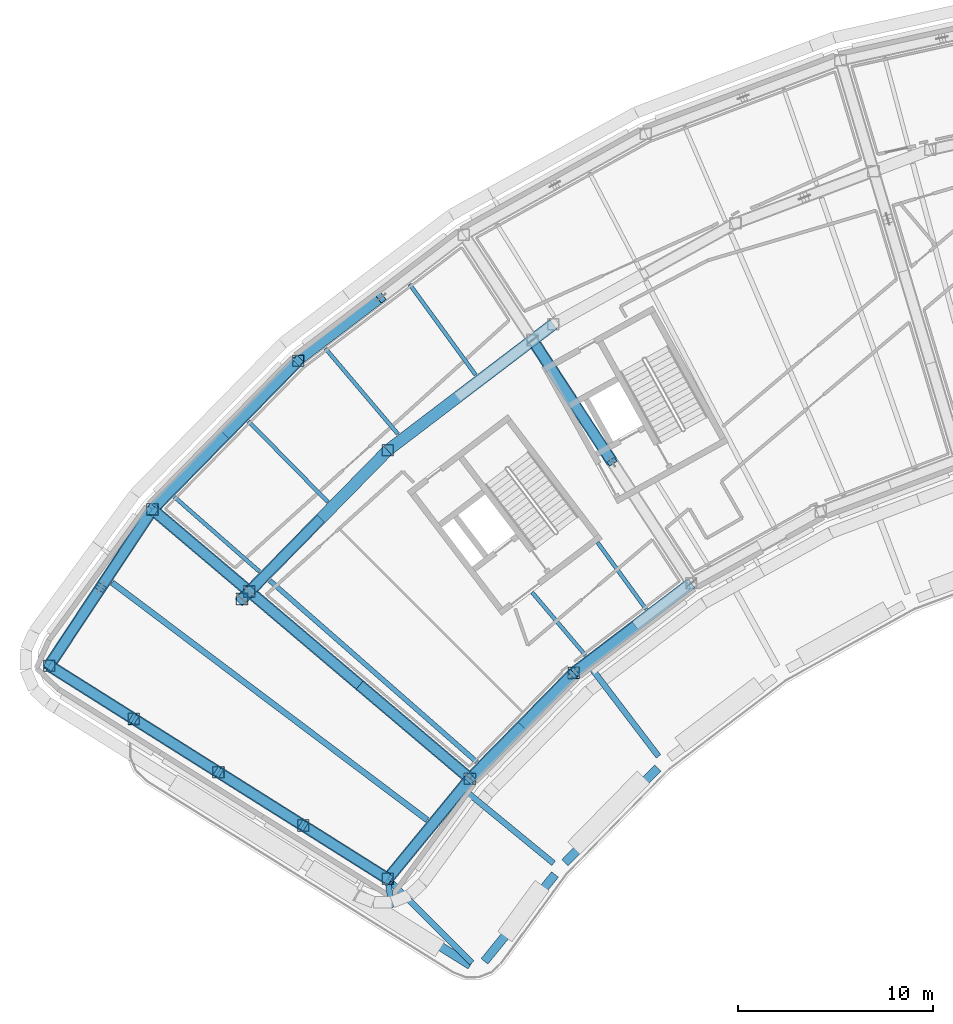
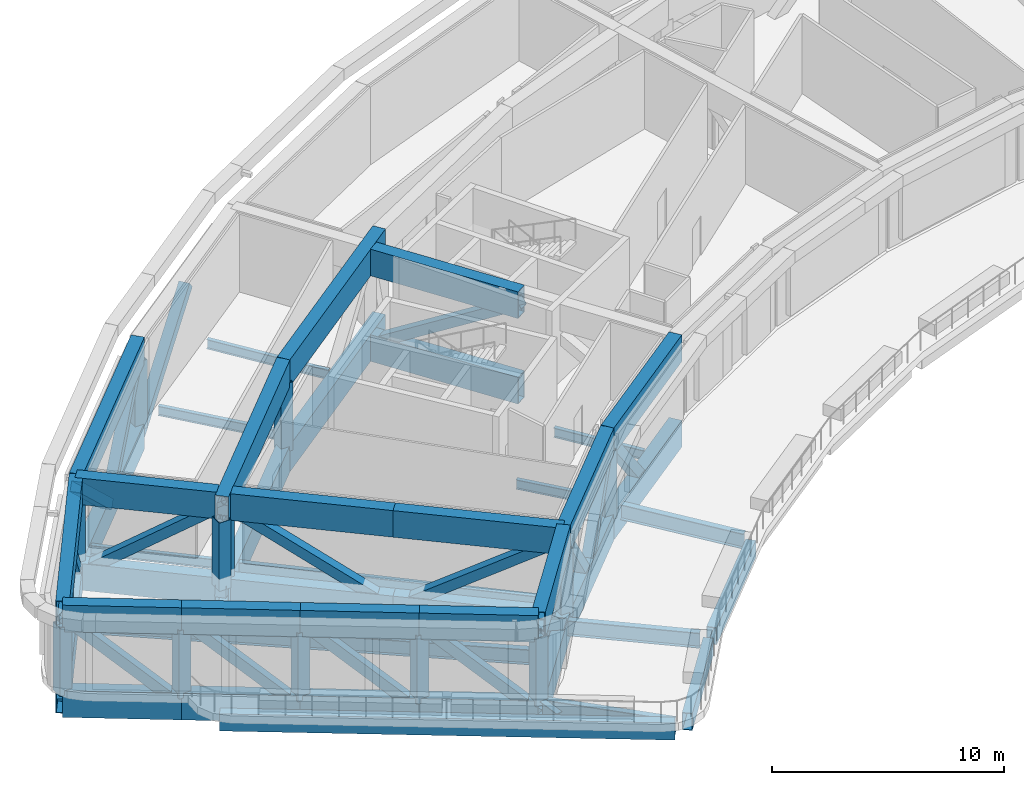
# One storey, part 1 of 24: 45 beams, 31 members.
"""IFC4 building model written with IfcOpenShell, lengths in metres."""

from ifc_helpers import new_model, si_unit, direction, frame, origin, origin_2d, place, context, subcontext, project, spatial, hollow_rectangle, i_section, extrude, material, material_profile, profile_set, type_object, element, save


model = new_model("IFC4")

# Units and contexts
model_context = context("Model", 3, precision=1e-05, world=origin(), true_north=direction((0.0, 1.0)))
body_context = subcontext(model_context, "Body", "Model", "MODEL_VIEW")
ifc_project = project(units=[si_unit("LENGTHUNIT", "METRE"), si_unit("AREAUNIT", "SQUARE_METRE"), si_unit("VOLUMEUNIT", "CUBIC_METRE"), si_unit("PLANEANGLEUNIT", "RADIAN"), si_unit("MASSUNIT", "GRAM", prefix="KILO")], contexts=[model_context])

# Site, building, storey
site_placement = place(None, origin())
site = spatial("IfcSite", under=ifc_project, at=site_placement, CompositionType="ELEMENT")
building_placement = place(site_placement, origin())
building = spatial("IfcBuilding", under=site, at=building_placement, Name="Tuul Gate Civic Tower", CompositionType="ELEMENT")
storey_placement = place(building_placement, frame((0.0, 0.0, 315.199951171875)))
storey = spatial("IfcBuildingStorey", under=building, at=storey_placement, Name="Plant and refuge floor 7", CompositionType="ELEMENT", Elevation=315.199951171875)

# Beams
ifc_material_1 = material(Name="Steel S355", Category="steel")
ifc_material_profile_1 = material_profile(ifc_material_1, i_section(OverallWidth=0.199951171875, OverallDepth=0.5, WebThickness=0.010009765625, FlangeThickness=0.01611328125, at=origin_2d()), Name="PG500x200x10x16")
ifc_profile_set_1 = profile_set([ifc_material_profile_1], Name="Steel S355")
beam_type_1 = type_object("IfcBeamType", Name="STR-FLOOR BEAM-PG500x200x10x16", PredefinedType="BEAM", material=ifc_profile_set_1)
beam_1_placement = place(storey_placement, frame((-28.857421875, -17.404541015625, -0.64990234375), z_axis=(-0.588411540977, 0.808561598424, 0.0), x_axis=(-0.808561598424, -0.588411540977, 0.0)))
element("IfcBeam", 1, at=beam_1_placement, inside=storey, type_object=beam_type_1, Name="Floor beam", PredefinedType="BEAM", context=body_context, shape_type="SweptSolid", body=[
    extrude(i_section(OverallWidth=0.199951171875, OverallDepth=0.5, WebThickness=0.010009765625, FlangeThickness=0.01611328125, at=origin_2d()), origin(), (0.0, 0.0, 1.0), 4.236328125),
])
beam_2_placement = place(storey_placement, frame((-37.602294921875, -5.3876953125, -0.64990234375), z_axis=(-0.588414354196, 0.808559551163, 0.0), x_axis=(-0.808559551163, -0.588414354196, 0.0)))
element("IfcBeam", 2, at=beam_2_placement, inside=storey, type_object=beam_type_1, Name="Floor beam", PredefinedType="BEAM", context=body_context, shape_type="SweptSolid", body=[
    extrude(i_section(OverallWidth=0.199951171875, OverallDepth=0.5, WebThickness=0.010009765625, FlangeThickness=0.01611328125, at=origin_2d()), origin(), (0.0, 0.0, 1.0), 5.742431640625),
])
beam_3_placement = place(storey_placement, frame((-31.966064453125, -19.771484375, -0.64990234375), z_axis=(-0.646600059481, 0.762829183421, 0.0), x_axis=(-0.762829183421, -0.646600059481, 0.0)))
element("IfcBeam", 3, at=beam_3_placement, inside=storey, type_object=beam_type_1, Name="Floor beam", PredefinedType="BEAM", context=body_context, shape_type="SweptSolid", body=[
    extrude(i_section(OverallWidth=0.199951171875, OverallDepth=0.5, WebThickness=0.010009765625, FlangeThickness=0.01611328125, at=origin_2d()), origin(), (0.0, 0.0, 1.0), 4.240966796875),
])
beam_4_placement = place(storey_placement, frame((-41.586669921875, -8.42138671875, -0.64990234375), z_axis=(-0.646577826617, 0.762848028199, 0.0), x_axis=(-0.762848028199, -0.646577826617, 0.0)))
element("IfcBeam", 4, at=beam_4_placement, inside=storey, type_object=beam_type_1, Name="Floor beam", PredefinedType="BEAM", context=body_context, shape_type="SweptSolid", body=[
    extrude(i_section(OverallWidth=0.199951171875, OverallDepth=0.5, WebThickness=0.010009765625, FlangeThickness=0.01611328125, at=origin_2d()), origin(), (0.0, 0.0, 1.0), 5.749267578125),
])
beam_5_placement = place(storey_placement, frame((-45.187744140625, -11.899658203125, -0.64990234375), z_axis=(-0.701211272106, 0.712953541173, 0.0), x_axis=(-0.712953541173, -0.701211272106, 0.0)))
element("IfcBeam", 5, at=beam_5_placement, inside=storey, type_object=beam_type_1, Name="Floor beam", PredefinedType="BEAM", context=body_context, shape_type="SweptSolid", body=[
    extrude(i_section(OverallWidth=0.199951171875, OverallDepth=0.5, WebThickness=0.010009765625, FlangeThickness=0.01611328125, at=origin_2d()), origin(), (0.0, 0.0, 1.0), 5.80078125),
])
beam_6_placement = place(storey_placement, frame((-48.690673828125, -15.472900390625, -0.64990234375), z_axis=(-0.75202444372, 0.659135218333, 0.0), x_axis=(-0.659135218333, -0.75202444372, 0.0)))
element("IfcBeam", 6, at=beam_6_placement, inside=storey, type_object=beam_type_1, Name="Floor beam", PredefinedType="BEAM", context=body_context, shape_type="SweptSolid", body=[
    extrude(i_section(OverallWidth=0.199951171875, OverallDepth=0.5, WebThickness=0.010009765625, FlangeThickness=0.01611328125, at=origin_2d()), origin(), (0.0, 0.0, 1.0), 5.80859375),
])
ifc_material_2 = material(Name="Steel S355", Category="steel")
ifc_material_profile_2 = material_profile(ifc_material_2, i_section(OverallWidth=0.25, OverallDepth=0.64990234375, WebThickness=0.011962890625, FlangeThickness=0.02001953125, at=origin_2d()), Name="PG650x250x12x20")
ifc_profile_set_2 = profile_set([ifc_material_profile_2], Name="Steel S355")
beam_type_2 = type_object("IfcBeamType", Name="STR-FLOOR BEAM-PG650x250x12x20", PredefinedType="BEAM", material=ifc_profile_set_2)
beam_7_placement = place(storey_placement, frame((-37.54296875, -25.243896484375, -0.724853515625), z_axis=(-0.752021711918, 0.659138335104, 0.0), x_axis=(-0.659138335104, -0.752021711918, 0.0)))
element("IfcBeam", 7, at=beam_7_placement, inside=storey, type_object=beam_type_2, Name="Floor beam", PredefinedType="BEAM", context=body_context, shape_type="SweptSolid", body=[
    extrude(i_section(OverallWidth=0.25, OverallDepth=0.64990234375, WebThickness=0.011962890625, FlangeThickness=0.02001953125, at=origin_2d()), origin(), (0.0, 0.0, 1.0), 14.122802734375),
])
ifc_material_3 = material(Name="Steel S355", Category="steel")
ifc_material_profile_3 = material_profile(ifc_material_3, i_section(OverallWidth=0.300048828125, OverallDepth=0.800048828125, WebThickness=0.013916015625, FlangeThickness=0.02490234375, at=origin_2d()), Name="PG800x300x14x25")
ifc_profile_set_3 = profile_set([ifc_material_profile_3], Name="Steel S355")
beam_type_3 = type_object("IfcBeamType", Name="STR-FLOOR BEAM-PG800x300x14x25", PredefinedType="BEAM", material=ifc_profile_set_3)
beam_8_placement = place(storey_placement, frame((-40.08447265625, -28.220458984375, -0.800048828125), z_axis=(-0.79870805532, 0.601718740249, 0.0), x_axis=(-0.601718740249, -0.79870805532, 0.0)))
element("IfcBeam", 8, at=beam_8_placement, inside=storey, type_object=beam_type_3, Name="Floor beam", PredefinedType="BEAM", context=body_context, shape_type="SweptSolid", body=[
    extrude(i_section(OverallWidth=0.300048828125, OverallDepth=0.800048828125, WebThickness=0.013916015625, FlangeThickness=0.02490234375, at=origin_2d()), origin(), (0.0, 0.0, 1.0), 20.23388671875),
])
beam_9_placement = place(storey_placement, frame((-41.9091796875, -32.70361328125, -0.800048828125), z_axis=(-0.135094712172, 0.990832689581, 0.0), x_axis=(-0.990832689581, -0.135094712172, 0.0)))
element("IfcBeam", 9, at=beam_9_placement, inside=storey, type_object=beam_type_3, Name="Terrace beam", PredefinedType="BEAM", context=body_context, shape_type="SweptSolid", body=[
    extrude(i_section(OverallWidth=0.300048828125, OverallDepth=0.800048828125, WebThickness=0.013916015625, FlangeThickness=0.02490234375, at=origin_2d()), origin(), (0.0, 0.0, 1.0), 1.17822265625),
])
beam_10_placement = place(storey_placement, frame((-37.7958984375, -35.55224609375, -0.800048828125), z_axis=(-0.707106781187, 0.707106781187, 0.0), x_axis=(-0.707106781187, -0.707106781187, 0.0)))
element("IfcBeam", 10, at=beam_10_placement, inside=storey, type_object=beam_type_3, Name="Terrace beam", PredefinedType="BEAM", context=body_context, shape_type="SweptSolid", body=[
    extrude(i_section(OverallWidth=0.300048828125, OverallDepth=0.800048828125, WebThickness=0.013916015625, FlangeThickness=0.02490234375, at=origin_2d()), origin(), (0.0, 0.0, 1.0), 5.7998046875),
])
beam_11_placement = place(storey_placement, frame((-33.602294921875, -30.439208984375, -0.800048828125), z_axis=(-0.77300790948, 0.634396383881, 0.0), x_axis=(-0.634396383881, -0.77300790948, 0.0)))
element("IfcBeam", 11, at=beam_11_placement, inside=storey, type_object=beam_type_3, Name="Terrace beam", PredefinedType="BEAM", context=body_context, shape_type="SweptSolid", body=[
    extrude(i_section(OverallWidth=0.300048828125, OverallDepth=0.800048828125, WebThickness=0.013916015625, FlangeThickness=0.02490234375, at=origin_2d()), origin(), (0.0, 0.0, 1.0), 5.768310546875),
])
beam_12_placement = place(storey_placement, frame((-28.221435546875, -24.95263671875, -0.800048828125), z_axis=(-0.605808706308, 0.795610338898, 0.0), x_axis=(-0.795610338898, -0.605808706308, 0.0)))
element("IfcBeam", 12, at=beam_12_placement, inside=storey, type_object=beam_type_3, Name="Terrace beam", PredefinedType="BEAM", context=body_context, shape_type="SweptSolid", body=[
    extrude(i_section(OverallWidth=0.300048828125, OverallDepth=0.800048828125, WebThickness=0.013916015625, FlangeThickness=0.02490234375, at=origin_2d()), origin(), (0.0, 0.0, 1.0), 5.74072265625),
])
ifc_material_4 = material(Name="Steel S355", Category="steel")
ifc_material_profile_4 = material_profile(ifc_material_4, hollow_rectangle(XDim=0.449951171875, YDim=0.89990234375, WallThickness=0.02490234375, at=origin_2d()), Name="BOX900x450x25")
ifc_profile_set_4 = profile_set([ifc_material_profile_4], Name="Steel S355")
beam_type_4 = type_object("IfcBeamType", Name="STR-SPANDREL BEAM-BOX900x450x25", PredefinedType="BEAM", material=ifc_profile_set_4)
beam_13_placement = place(storey_placement, frame((-54.518310546875, -25.26171875, -0.849853515625), z_axis=(0.847979443613, -0.530029115435, 0.0), x_axis=(0.530029115435, 0.847979443613, 0.0)))
element("IfcBeam", 13, at=beam_13_placement, inside=storey, type_object=beam_type_4, Name="Terrace edge beam", PredefinedType="BEAM", context=body_context, shape_type="SweptSolid", body=[
    extrude(hollow_rectangle(XDim=0.449951171875, YDim=0.89990234375, WallThickness=0.02490234375, at=origin_2d()), origin(), (0.0, 0.0, 1.0), 19.6357421875),
])
beam_14_placement = place(storey_placement, frame((-37.1484375, -35.470458984375, -0.849853515625), z_axis=(0.630616645901, 0.776094482594, 0.0), x_axis=(-0.776094482594, 0.630616645901, 0.0)))
element("IfcBeam", 14, at=beam_14_placement, inside=storey, type_object=beam_type_4, Name="Terrace edge beam", PredefinedType="BEAM", context=body_context, shape_type="SweptSolid", body=[
    extrude(hollow_rectangle(XDim=0.449951171875, YDim=0.89990234375, WallThickness=0.02490234375, at=origin_2d()), origin(), (0.0, 0.0, 1.0), 5.739501953125),
])
beam_15_placement = place(storey_placement, frame((-33.012939453125, -30.4072265625, -0.849853515625), z_axis=(0.69995351943, 0.71418839996, 0.0), x_axis=(-0.71418839996, 0.69995351943, 0.0)))
element("IfcBeam", 15, at=beam_15_placement, inside=storey, type_object=beam_type_4, Name="Terrace edge beam", PredefinedType="BEAM", context=body_context, shape_type="SweptSolid", body=[
    extrude(hollow_rectangle(XDim=0.449951171875, YDim=0.89990234375, WallThickness=0.02490234375, at=origin_2d()), origin(), (0.0, 0.0, 1.0), 6.791748046875),
])
ifc_material_5 = material(Name="Steel S460", Category="steel")
ifc_material_profile_5 = material_profile(ifc_material_5, hollow_rectangle(XDim=0.60009765625, YDim=1.39990234375, WallThickness=0.031982421875, at=origin_2d()), Name="BOX1400x600x32")
ifc_profile_set_5 = profile_set([ifc_material_profile_5], Name="Steel S460")
beam_type_5 = type_object("IfcBeamType", Name="STR-TRANSFER TRUSS CHORD-BOX1400x600x32", PredefinedType="BEAM", material=ifc_profile_set_5)
beam_16_placement = place(storey_placement, frame((-54.179931640625, -12.2880859375, -1.099853515625), z_axis=(0.762827297344, -0.646602284582, 0.0), x_axis=(0.646602284582, 0.762827297344, 0.0)))
element("IfcBeam", 16, at=beam_16_placement, inside=storey, type_object=beam_type_5, Name="Radial truss bottom chord", PredefinedType="BEAM", context=body_context, shape_type="SweptSolid", body=[
    extrude(hollow_rectangle(XDim=0.60009765625, YDim=1.39990234375, WallThickness=0.031982421875, at=origin_2d()), origin(), (0.0, 0.0, 1.0), 6.215576171875),
])
beam_17_placement = place(storey_placement, frame((-48.979736328125, -16.696044921875, -1.099853515625), z_axis=(0.762825357686, -0.646604572881, 0.0), x_axis=(0.646604572881, 0.762825357686, 0.0)))
element("IfcBeam", 17, at=beam_17_placement, inside=storey, type_object=beam_type_5, Name="Radial truss bottom chord", PredefinedType="BEAM", context=body_context, shape_type="SweptSolid", body=[
    extrude(hollow_rectangle(XDim=0.60009765625, YDim=1.39990234375, WallThickness=0.031982421875, at=origin_2d()), origin(), (0.0, 0.0, 1.0), 7.119140625),
])
beam_18_placement = place(storey_placement, frame((-43.549072265625, -21.29931640625, -1.099853515625), z_axis=(0.762838108327, -0.646589530138, 0.0), x_axis=(0.646589530138, 0.762838108327, 0.0)))
element("IfcBeam", 18, at=beam_18_placement, inside=storey, type_object=beam_type_5, Name="Radial truss bottom chord", PredefinedType="BEAM", context=body_context, shape_type="SweptSolid", body=[
    extrude(hollow_rectangle(XDim=0.60009765625, YDim=1.39990234375, WallThickness=0.031982421875, at=origin_2d()), origin(), (0.0, 0.0, 1.0), 7.419921875),
])
beam_19_placement = place(storey_placement, frame((-54.179931640625, -12.2880859375, 3.400146484375), z_axis=(0.762827297344, -0.646602284582, 0.0), x_axis=(0.646602284582, 0.762827297344, 0.0)))
element("IfcBeam", 19, at=beam_19_placement, inside=storey, type_object=beam_type_5, Name="Radial truss top chord", PredefinedType="BEAM", context=body_context, shape_type="SweptSolid", body=[
    extrude(hollow_rectangle(XDim=0.60009765625, YDim=1.39990234375, WallThickness=0.031982421875, at=origin_2d()), origin(), (0.0, 0.0, 1.0), 6.215576171875),
])
beam_20_placement = place(storey_placement, frame((-48.979736328125, -16.696044921875, 3.400146484375), z_axis=(0.762825357686, -0.646604572881, 0.0), x_axis=(0.646604572881, 0.762825357686, 0.0)))
element("IfcBeam", 20, at=beam_20_placement, inside=storey, type_object=beam_type_5, Name="Radial truss top chord", PredefinedType="BEAM", context=body_context, shape_type="SweptSolid", body=[
    extrude(hollow_rectangle(XDim=0.60009765625, YDim=1.39990234375, WallThickness=0.031982421875, at=origin_2d()), origin(), (0.0, 0.0, 1.0), 7.119140625),
])
beam_21_placement = place(storey_placement, frame((-43.549072265625, -21.29931640625, 3.400146484375), z_axis=(0.762838108327, -0.646589530138, 0.0), x_axis=(0.646589530138, 0.762838108327, 0.0)))
element("IfcBeam", 21, at=beam_21_placement, inside=storey, type_object=beam_type_5, Name="Radial truss top chord", PredefinedType="BEAM", context=body_context, shape_type="SweptSolid", body=[
    extrude(hollow_rectangle(XDim=0.60009765625, YDim=1.39990234375, WallThickness=0.031982421875, at=origin_2d()), origin(), (0.0, 0.0, 1.0), 7.419921875),
])
for number, where, z_axis, x_axis, name in (
    (22, (-34.51513671875, -3.85400390625, -1.099853515625), (0.54672195504, -0.837314220516, 0.0), (0.837314220516, 0.54672195504, 0.0), "Radial truss bottom chord"),
    (23, (-34.51513671875, -3.85400390625, 3.400146484375), (0.54672195504, -0.837314220516, 0.0), (0.837314220516, 0.54672195504, 0.0), "Radial truss top chord"),
):
    element("IfcBeam", number, at=place(storey_placement, frame(where, z_axis=z_axis, x_axis=x_axis)), inside=storey, type_object=beam_type_5, Name=name, PredefinedType="BEAM", context=body_context, shape_type="SweptSolid", body=[
        extrude(hollow_rectangle(XDim=0.60009765625, YDim=1.39990234375, WallThickness=0.031982421875, at=origin_2d()), origin(), (0.0, 0.0, 1.0), 7.14794921875),
    ])
for number, where, z_axis, x_axis, name in (
    (24, (-42.10888671875, -9.259033203125, -1.099853515625), (-0.700052665808, -0.714091216229, 0.0), (0.714091216229, -0.700052665808, 0.0), "Belt truss bottom chord"),
    (25, (-42.10888671875, -9.259033203125, 3.400146484375), (-0.700052665808, -0.714091216229, 0.0), (0.714091216229, -0.700052665808, 0.0), "Belt truss top chord"),
):
    element("IfcBeam", number, at=place(storey_placement, frame(where, z_axis=z_axis, x_axis=x_axis)), inside=storey, type_object=beam_type_5, Name=name, PredefinedType="BEAM", context=body_context, shape_type="SweptSolid", body=[
        extrude(hollow_rectangle(XDim=0.60009765625, YDim=1.39990234375, WallThickness=0.031982421875, at=origin_2d()), origin(), (0.0, 0.0, 1.0), 10.677978515625),
    ])
for number, where, z_axis, x_axis, name in (
    (26, (-46.7060546875, -4.6630859375, -1.099853515625), (-0.699994363812, -0.71414836738, 0.0), (0.71414836738, -0.699994363812, 0.0), "Belt truss bottom chord"),
    (27, (-46.7060546875, -4.6630859375, 3.400146484375), (-0.699994363812, -0.71414836738, 0.0), (0.71414836738, -0.699994363812, 0.0), "Belt truss top chord"),
    (28, (-33.614013671875, -2.791015625, -1.099853515625), (-0.795624318965, -0.605790345806, 0.0), (0.605790345806, -0.795624318965, 0.0), "Belt truss bottom chord"),
    (29, (-33.614013671875, -2.791015625, 3.400146484375), (-0.795624318965, -0.605790345806, 0.0), (0.605790345806, -0.795624318965, 0.0), "Belt truss top chord"),
):
    element("IfcBeam", number, at=place(storey_placement, frame(where, z_axis=z_axis, x_axis=x_axis)), inside=storey, type_object=beam_type_5, Name=name, PredefinedType="BEAM", context=body_context, shape_type="SweptSolid", body=[
        extrude(hollow_rectangle(XDim=0.60009765625, YDim=1.39990234375, WallThickness=0.031982421875, at=origin_2d()), origin(), (0.0, 0.0, 1.0), 10.677001953125),
    ])
for number, where, z_axis, x_axis, name in (
    (30, (-54.179931640625, -12.2880859375, -1.099853515625), (-0.551652439402, -0.834074089097, 0.0), (0.834074089097, -0.551652439402, 0.0), "Belt truss bottom chord"),
    (31, (-54.179931640625, -12.2880859375, 3.400146484375), (-0.551652439402, -0.834074089097, 0.0), (0.834074089097, -0.551652439402, 0.0), "Belt truss top chord"),
):
    element("IfcBeam", number, at=place(storey_placement, frame(where, z_axis=z_axis, x_axis=x_axis)), inside=storey, type_object=beam_type_5, Name=name, PredefinedType="BEAM", context=body_context, shape_type="SweptSolid", body=[
        extrude(hollow_rectangle(XDim=0.60009765625, YDim=1.39990234375, WallThickness=0.031982421875, at=origin_2d()), origin(), (0.0, 0.0, 1.0), 9.605712890625),
    ])
for number, where, z_axis, x_axis, name in (
    (32, (-37.888916015625, -26.096923828125, -1.099853515625), (0.699964014353, 0.714178114066, 0.0), (-0.714178114066, 0.699964014353, 0.0), "Belt truss bottom chord"),
    (33, (-37.888916015625, -26.096923828125, 3.400146484375), (0.699964014353, 0.714178114066, 0.0), (-0.714178114066, 0.699964014353, 0.0), "Belt truss top chord"),
    (34, (-32.574951171875, -20.675048828125, -1.099853515625), (0.795610335584, 0.60580871066, 0.0), (-0.60580871066, 0.795610335584, 0.0), "Belt truss bottom chord"),
    (35, (-32.574951171875, -20.675048828125, 3.400146484375), (0.795610335584, 0.60580871066, 0.0), (-0.60580871066, 0.795610335584, 0.0), "Belt truss top chord"),
):
    element("IfcBeam", number, at=place(storey_placement, frame(where, z_axis=z_axis, x_axis=x_axis)), inside=storey, type_object=beam_type_5, Name=name, PredefinedType="BEAM", context=body_context, shape_type="SweptSolid", body=[
        extrude(hollow_rectangle(XDim=0.60009765625, YDim=1.39990234375, WallThickness=0.031982421875, at=origin_2d()), origin(), (0.0, 0.0, 1.0), 7.591796875),
    ])
for number, where, z_axis, x_axis, name in (
    (36, (-42.10888671875, -31.239013671875, -1.099853515625), (0.634390286361, 0.773012913586, 0.0), (-0.773012913586, 0.634390286361, 0.0), "Belt truss bottom chord"),
    (37, (-42.10888671875, -31.239013671875, 3.400146484375), (0.634390286361, 0.773012913586, 0.0), (-0.773012913586, 0.634390286361, 0.0), "Belt truss top chord"),
):
    element("IfcBeam", number, at=place(storey_placement, frame(where, z_axis=z_axis, x_axis=x_axis)), inside=storey, type_object=beam_type_5, Name=name, PredefinedType="BEAM", context=body_context, shape_type="SweptSolid", body=[
        extrude(hollow_rectangle(XDim=0.60009765625, YDim=1.39990234375, WallThickness=0.031982421875, at=origin_2d()), origin(), (0.0, 0.0, 1.0), 6.652099609375),
    ])
for number, where, z_axis, x_axis, name in (
    (38, (-59.47900390625, -20.300048828125, -1.099853515625), (0.846200269344, -0.532864996188, 0.0), (0.532864996188, 0.846200269344, 0.0), "Belt truss bottom chord"),
    (39, (-59.47900390625, -20.300048828125, 3.400146484375), (0.846200269344, -0.532864996188, 0.0), (0.532864996188, 0.846200269344, 0.0), "Belt truss top chord"),
):
    element("IfcBeam", number, at=place(storey_placement, frame(where, z_axis=z_axis, x_axis=x_axis)), inside=storey, type_object=beam_type_5, Name=name, PredefinedType="BEAM", context=body_context, shape_type="SweptSolid", body=[
        extrude(hollow_rectangle(XDim=0.60009765625, YDim=1.39990234375, WallThickness=0.031982421875, at=origin_2d()), origin(), (0.0, 0.0, 1.0), 5.13232421875),
    ])
for number, where, z_axis, x_axis, name in (
    (40, (-50.7939453125, -25.77001953125, -1.099853515625), (0.846286064045, -0.532728728156, 0.0), (0.532728728156, 0.846286064045, 0.0), "Belt truss bottom chord"),
    (41, (-50.7939453125, -25.77001953125, 3.400146484375), (0.846286064045, -0.532728728156, 0.0), (0.532728728156, 0.846286064045, 0.0), "Belt truss top chord"),
):
    element("IfcBeam", number, at=place(storey_placement, frame(where, z_axis=z_axis, x_axis=x_axis)), inside=storey, type_object=beam_type_5, Name=name, PredefinedType="BEAM", context=body_context, shape_type="SweptSolid", body=[
        extrude(hollow_rectangle(XDim=0.60009765625, YDim=1.39990234375, WallThickness=0.031982421875, at=origin_2d()), origin(), (0.0, 0.0, 1.0), 5.1318359375),
    ])
for number, where, z_axis, x_axis, name in (
    (42, (-55.135986328125, -23.034912109375, -1.099853515625), (0.846124773729, -0.532984865903, 0.0), (0.532984865903, 0.846124773729, 0.0), "Belt truss bottom chord"),
    (43, (-55.135986328125, -23.034912109375, 3.400146484375), (0.846124773729, -0.532984865903, 0.0), (0.532984865903, 0.846124773729, 0.0), "Belt truss top chord"),
    (44, (-46.450927734375, -28.50390625, -1.099853515625), (0.846124773729, -0.532984865903, 0.0), (0.532984865903, 0.846124773729, 0.0), "Belt truss bottom chord"),
    (45, (-46.450927734375, -28.50390625, 3.400146484375), (0.846124773729, -0.532984865903, 0.0), (0.532984865903, 0.846124773729, 0.0), "Belt truss top chord"),
):
    element("IfcBeam", number, at=place(storey_placement, frame(where, z_axis=z_axis, x_axis=x_axis)), inside=storey, type_object=beam_type_5, Name=name, PredefinedType="BEAM", context=body_context, shape_type="SweptSolid", body=[
        extrude(hollow_rectangle(XDim=0.60009765625, YDim=1.39990234375, WallThickness=0.031982421875, at=origin_2d()), origin(), (0.0, 0.0, 1.0), 5.131591796875),
    ])

# Members
ifc_material_6 = material(Name="Steel S355", Category="steel")
ifc_material_profile_6 = material_profile(ifc_material_6, hollow_rectangle(XDim=0.5, YDim=0.5, WallThickness=0.02001953125, at=origin_2d()), Name="BOX500x500x20")
ifc_profile_set_6 = profile_set([ifc_material_profile_6], Name="Steel S355")
member_type_1 = type_object("IfcMemberType", Name="STR-TRANSFER TRUSS DIAGONAL-BOX500x500x20", PredefinedType="BRACE", material=ifc_profile_set_6)
member_1_placement = place(storey_placement, frame((-54.18310546875, -12.285400390625, -1.102783203125), z_axis=(0.627700139575, -0.532064083776, 0.568243209843), x_axis=(0.646602898988, 0.762826776549, 0.0)))
element("IfcMember", 46, at=member_1_placement, inside=storey, type_object=member_type_1, Name="Radial truss web", PredefinedType="BRACE", context=body_context, shape_type="SweptSolid", body=[
    extrude(hollow_rectangle(XDim=0.5, YDim=0.5, WallThickness=0.02001953125, at=origin_2d()), origin(), (0.0, 0.0, 1.0), 7.928955078125),
])
for number, where, z_axis, x_axis, name in (
    (47, (-43.5458984375, -21.302001953125, -1.1025390625), (-0.652243337983, 0.552875287871, 0.518562960612), (-0.646607931163, -0.762822511045, 0.0), "Radial truss web"),
    (48, (-43.55224609375, -21.296630859375, -1.1025390625), (0.652243337983, -0.552875287871, 0.518562960612), (0.646607931163, 0.762822511045, 0.0), "Radial truss web"),
):
    element("IfcMember", number, at=place(storey_placement, frame(where, z_axis=z_axis, x_axis=x_axis)), inside=storey, type_object=member_type_1, Name=name, PredefinedType="BRACE", context=body_context, shape_type="SweptSolid", body=[
        extrude(hollow_rectangle(XDim=0.5, YDim=0.5, WallThickness=0.02001953125, at=origin_2d()), origin(), (0.0, 0.0, 1.0), 8.687744140625),
    ])
member_2_placement = place(storey_placement, frame((-34.681884765625, -3.5986328125, -1.1025390625), z_axis=(0.467940591429, -0.716692530475, 0.517091306883), x_axis=(0.837325864577, 0.546704121542, 0.0)))
element("IfcMember", 49, at=member_2_placement, inside=storey, type_object=member_type_1, Name="Radial truss web", PredefinedType="BRACE", context=body_context, shape_type="SweptSolid", body=[
    extrude(hollow_rectangle(XDim=0.5, YDim=0.5, WallThickness=0.02001953125, at=origin_2d()), origin(), (0.0, 0.0, 1.0), 8.71240234375),
])
member_3_placement = place(storey_placement, frame((-46.708984375, -4.665283203125, -1.103271484375), z_axis=(0.608364653562, 0.463151809544, 0.644502016764), x_axis=(-0.605741863572, 0.795661231126, 0.0)))
element("IfcMember", 50, at=member_3_placement, inside=storey, type_object=member_type_1, Name="Belt truss web", PredefinedType="BRACE", context=body_context, shape_type="SweptSolid", body=[
    extrude(hollow_rectangle(XDim=0.5, YDim=0.5, WallThickness=0.02001953125, at=origin_2d()), origin(), (0.0, 0.0, 1.0), 6.992431640625),
])
member_4_placement = place(storey_placement, frame((-45.656494140625, -12.877685546875, -1.103271484375), z_axis=(-0.523613850744, -0.534113455498, 0.66374042514), x_axis=(0.71409074531, -0.70005314617, 0.0)))
element("IfcMember", 51, at=member_4_placement, inside=storey, type_object=member_type_1, Name="Belt truss web", PredefinedType="BRACE", context=body_context, shape_type="SweptSolid", body=[
    extrude(hollow_rectangle(XDim=0.5, YDim=0.5, WallThickness=0.02001953125, at=origin_2d()), origin(), (0.0, 0.0, 1.0), 6.789794921875),
])
member_5_placement = place(storey_placement, frame((-49.58447265625, -16.884521484375, -1.10498046875), z_axis=(0.082726973719, 0.084393339011, 0.992992453219), x_axis=(-0.714121880734, 0.700021385, 0.0)))
element("IfcMember", 52, at=member_5_placement, inside=storey, type_object=member_type_1, Name="Belt truss web", PredefinedType="BRACE", context=body_context, shape_type="SweptSolid", body=[
    extrude(hollow_rectangle(XDim=0.5, YDim=0.5, WallThickness=0.02001953125, at=origin_2d()), origin(), (0.0, 0.0, 1.0), 4.541748046875),
])
for number, where, z_axis, x_axis, name in (
    (53, (-50.445556640625, -8.478271484375, -1.103271484375), (0.535191946696, 0.546050812525, 0.644513840296), (-0.714172203399, 0.699970044996, 0.0), "Belt truss web"),
    (54, (-50.4404296875, -8.47265625, -1.103271484375), (-0.535191946696, -0.546050812525, 0.644513840296), (0.714172203399, -0.699970044996, 0.0), "Belt truss web"),
):
    element("IfcMember", number, at=place(storey_placement, frame(where, z_axis=z_axis, x_axis=x_axis)), inside=storey, type_object=member_type_1, Name=name, PredefinedType="BRACE", context=body_context, shape_type="SweptSolid", body=[
        extrude(hollow_rectangle(XDim=0.5, YDim=0.5, WallThickness=0.02001953125, at=origin_2d()), origin(), (0.0, 0.0, 1.0), 6.9921875),
    ])
member_6_placement = place(storey_placement, frame((-54.177978515625, -12.284912109375, -1.103271484375), z_axis=(-0.402560217053, -0.608673714882, 0.68371162083), x_axis=(0.834082626084, -0.551639531636, 0.0)))
element("IfcMember", 55, at=member_6_placement, inside=storey, type_object=member_type_1, Name="Belt truss web", PredefinedType="BRACE", context=body_context, shape_type="SweptSolid", body=[
    extrude(hollow_rectangle(XDim=0.5, YDim=0.5, WallThickness=0.02001953125, at=origin_2d()), origin(), (0.0, 0.0, 1.0), 6.591796875),
])
member_7_placement = place(storey_placement, frame((-59.48095703125, -20.302978515625, -1.103271484375), z_axis=(0.402569292294, 0.608650398405, 0.683727034294), x_axis=(-0.834067180508, 0.55166288474, 0.0)))
element("IfcMember", 56, at=member_7_placement, inside=storey, type_object=member_type_1, Name="Belt truss web", PredefinedType="BRACE", context=body_context, shape_type="SweptSolid", body=[
    extrude(hollow_rectangle(XDim=0.5, YDim=0.5, WallThickness=0.02001953125, at=origin_2d()), origin(), (0.0, 0.0, 1.0), 6.591552734375),
])
for number, where, z_axis, x_axis, name in (
    (57, (-35.229736328125, -23.3837890625, -1.103759765625), (-0.451337804949, -0.460487103692, 0.76435974067), (0.714165976552, -0.699976398127, 0.0), "Belt truss web"),
    (58, (-35.234375, -23.38818359375, -1.103759765625), (0.451337804949, 0.460487103692, 0.76435974067), (-0.714165976552, 0.699976398127, 0.0), "Belt truss web"),
):
    element("IfcMember", number, at=place(storey_placement, frame(where, z_axis=z_axis, x_axis=x_axis)), inside=storey, type_object=member_type_1, Name=name, PredefinedType="BRACE", context=body_context, shape_type="SweptSolid", body=[
        extrude(hollow_rectangle(XDim=0.5, YDim=0.5, WallThickness=0.02001953125, at=origin_2d()), origin(), (0.0, 0.0, 1.0), 5.897216796875),
    ])
member_8_placement = place(storey_placement, frame((-29.552490234375, -18.37353515625, -1.103759765625), z_axis=(-0.512989911448, -0.390610912316, 0.764371942141), x_axis=(0.605809108227, -0.795610032861, 0.0)))
element("IfcMember", 59, at=member_8_placement, inside=storey, type_object=member_type_1, Name="Belt truss web", PredefinedType="BRACE", context=body_context, shape_type="SweptSolid", body=[
    extrude(hollow_rectangle(XDim=0.5, YDim=0.5, WallThickness=0.02001953125, at=origin_2d()), origin(), (0.0, 0.0, 1.0), 5.89697265625),
])
member_9_placement = place(storey_placement, frame((-37.886474609375, -26.09375, -1.102783203125), z_axis=(-0.525441271609, -0.640269590644, 0.560326977207), x_axis=(0.773018980158, -0.634382894092, 0.0)))
element("IfcMember", 60, at=member_9_placement, inside=storey, type_object=member_type_1, Name="Belt truss web", PredefinedType="BRACE", context=body_context, shape_type="SweptSolid", body=[
    extrude(hollow_rectangle(XDim=0.5, YDim=0.5, WallThickness=0.02001953125, at=origin_2d()), origin(), (0.0, 0.0, 1.0), 8.041015625),
])
member_10_placement = place(storey_placement, frame((-55.1328125, -23.037109375, -1.103271484375), z_axis=(-0.636260198505, 0.400684993939, 0.659260567174), x_axis=(-0.532886335228, -0.846186831455, 0.0)))
element("IfcMember", 61, at=member_10_placement, inside=storey, type_object=member_type_1, Name="Belt truss web", PredefinedType="BRACE", context=body_context, shape_type="SweptSolid", body=[
    extrude(hollow_rectangle(XDim=0.5, YDim=0.5, WallThickness=0.02001953125, at=origin_2d()), origin(), (0.0, 0.0, 1.0), 6.8359375),
])
member_11_placement = place(storey_placement, frame((-46.44775390625, -28.506103515625, -1.103271484375), z_axis=(-0.63629661571, 0.400565060072, 0.659298300836), x_axis=(-0.532750272584, -0.846272501657, 0.0)))
element("IfcMember", 62, at=member_11_placement, inside=storey, type_object=member_type_1, Name="Belt truss web", PredefinedType="BRACE", context=body_context, shape_type="SweptSolid", body=[
    extrude(hollow_rectangle(XDim=0.5, YDim=0.5, WallThickness=0.02001953125, at=origin_2d()), origin(), (0.0, 0.0, 1.0), 6.83544921875),
])
for number, where, z_axis, x_axis, name in (
    (63, (-50.790771484375, -25.77197265625, -1.103271484375), (-0.63617516084, 0.400721415387, 0.659320492614), (-0.532972018739, -0.846132866187, 0.0), "Belt truss web"),
    (64, (-42.105712890625, -31.240966796875, -1.103271484375), (-0.63617516084, 0.400721415387, 0.659320492614), (-0.532972018739, -0.846132866187, 0.0), "Belt truss web"),
):
    element("IfcMember", number, at=place(storey_placement, frame(where, z_axis=z_axis, x_axis=x_axis)), inside=storey, type_object=member_type_1, Name=name, PredefinedType="BRACE", context=body_context, shape_type="SweptSolid", body=[
        extrude(hollow_rectangle(XDim=0.5, YDim=0.5, WallThickness=0.02001953125, at=origin_2d()), origin(), (0.0, 0.0, 1.0), 6.835205078125),
    ])
ifc_material_7 = material(Name="Steel S355", Category="steel")
ifc_material_profile_7 = material_profile(ifc_material_7, hollow_rectangle(XDim=0.60009765625, YDim=0.60009765625, WallThickness=0.028076171875, at=origin_2d()), Name="BOX600x600x28")
ifc_profile_set_7 = profile_set([ifc_material_profile_7], Name="Steel S355")
member_type_2 = type_object("IfcMemberType", Name="STR-TRUSS POST-BOX600x600x28", PredefinedType="POST", material=ifc_profile_set_7)
for number, where, z_axis, x_axis, name in (
    (65, (-54.179931640625, -12.2880859375, -0.64501953125), (0.0, 0.0, 1.0), (1.0, 0.0, 0.0), "Radial truss post"),
    (66, (-49.208984375, -16.50146484375, -0.64501953125), (0.0, 0.0, 1.0), (1.0, 0.0, 0.0), "Radial truss post"),
    (67, (-37.888916015625, -26.096923828125, -0.64501953125), (0.0, 0.0, 1.0), (1.0, 0.0, 0.0), "Radial truss post"),
    (68, (-46.7060546875, -4.6630859375, -0.64501953125), (0.0, 0.0, 1.0), (1.0, 0.0, 0.0), "Belt truss post"),
    (69, (-42.10888671875, -9.259033203125, -0.64501953125), (0.0, 0.0, 1.0), (1.0, 0.0, 0.0), "Belt truss post"),
    (70, (-49.583984375, -16.884033203125, -0.64501953125), (0.0, 0.0, 1.0), (1.0, 0.0, 0.0), "Belt truss post"),
    (71, (-59.47900390625, -20.300048828125, -0.64501953125), (0.0, 0.0, 1.0), (1.0, 0.0, 0.0), "Belt truss post"),
    (72, (-32.574951171875, -20.675048828125, -0.64501953125), (0.0, 0.0, 1.0), (1.0, 0.0, 0.0), "Belt truss post"),
    (73, (-42.10888671875, -31.239013671875, -0.64501953125), (0.0, 0.0, 1.0), (1.0, 0.0, 0.0), "Belt truss post"),
    (74, (-55.135986328125, -23.034912109375, -0.64501953125), (0.0, 0.0, 1.0), (1.0, 0.0, 0.0), "Belt truss post"),
    (75, (-50.7939453125, -25.77001953125, -0.64501953125), (0.0, 0.0, 1.0), (1.0, 0.0, 0.0), "Belt truss post"),
    (76, (-46.450927734375, -28.50390625, -0.64501953125), (0.0, 0.0, 1.0), (1.0, 0.0, 0.0), "Belt truss post"),
):
    element("IfcMember", number, at=place(storey_placement, frame(where, z_axis=z_axis, x_axis=x_axis)), inside=storey, type_object=member_type_2, Name=name, PredefinedType="POST", context=body_context, shape_type="SweptSolid", body=[
        extrude(hollow_rectangle(XDim=0.60009765625, YDim=0.60009765625, WallThickness=0.028076171875, at=origin_2d()), origin(), (0.0, 0.0, 1.0), 3.590087890625),
    ])

save(model, "model.ifc")
